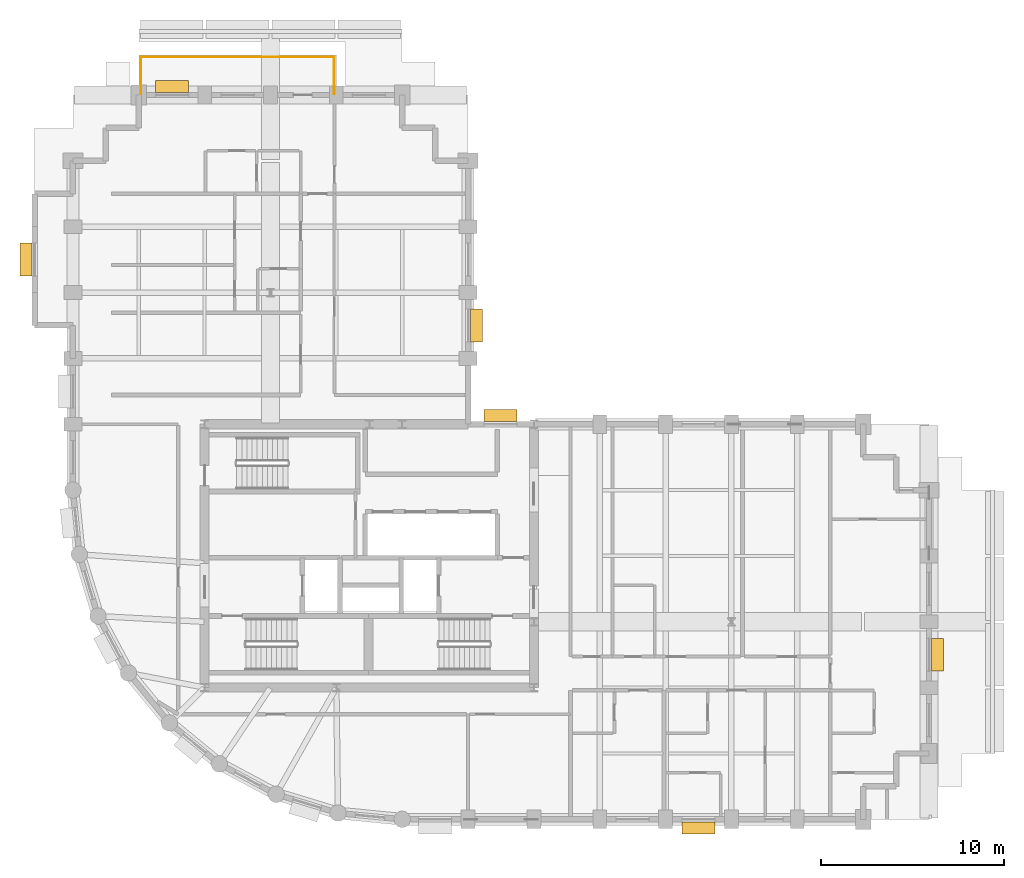
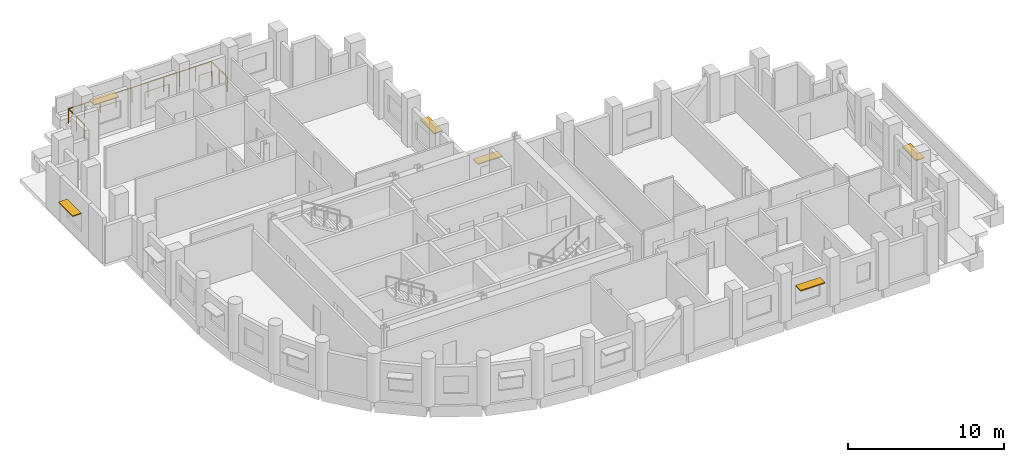
# One storey, part 10 of 10: 6 shading devices, 3 railings.
"""IFC4 building model written with IfcOpenShell, lengths in metres."""

from ifc_helpers import new_model, si_unit, direction, frame, origin, origin_2d, place, context, subcontext, project, spatial, rectangle, circle, extrude, material, layer, layer_set, type_object, element, save


model = new_model("IFC4")

# Units and contexts
model_context = context("Model", 3, precision=1e-05, world=origin(), true_north=direction((0.0, 1.0)))
body_context = subcontext(model_context, "Body", "Model", "MODEL_VIEW")
ifc_project = project(units=[si_unit("LENGTHUNIT", "METRE"), si_unit("AREAUNIT", "SQUARE_METRE"), si_unit("VOLUMEUNIT", "CUBIC_METRE"), si_unit("PLANEANGLEUNIT", "RADIAN"), si_unit("MASSUNIT", "GRAM", prefix="KILO")], contexts=[model_context])

# Site, building, storey
site_placement = place(None, origin())
site = spatial("IfcSite", under=ifc_project, at=site_placement, CompositionType="ELEMENT")
building_placement = place(site_placement, origin())
building = spatial("IfcBuilding", under=site, at=building_placement, Name="Solnavia Interchange Tower", CompositionType="ELEMENT")
storey_placement = place(building_placement, frame((0.0, 0.0, 127.60009765625)))
storey = spatial("IfcBuildingStorey", under=building, at=storey_placement, Name="L31", CompositionType="ELEMENT", Elevation=127.60009765625)

# Railings
ifc_material_1 = material(Name="Laminated Safety Glass & Stainless Steel", Category="steel")
railing_type = type_object("IfcRailingType", Name="Railing-TerraceGuard-1150", PredefinedType="GUARDRAIL", material=ifc_material_1)
railing_1_placement = place(storey_placement, frame((10.919921875, 43.25, -0.0400390625)))
element("IfcRailing", 1, at=railing_1_placement, inside=storey, type_object=railing_type, Name="GRD-L31-TER-01 Perimeter terrace guardrail", PredefinedType="GUARDRAIL", context=body_context, shape_type="SweptSolid", body=[
    extrude(circle(Radius=0.02392578125, at=origin_2d()), frame((0.0, 0.0, 1.1259765625), z_axis=(0.0, 1.0, 0.0), x_axis=(-1.0, 0.0, 0.0)), (0.0, 0.0, 1.0), 2.030029296875),
    extrude(circle(Radius=0.02099609375, at=origin_2d()), origin(), (0.0, 0.0, 1.0), 1.101806640625),
    extrude(circle(Radius=0.02099609375, at=origin_2d()), frame((0.0, 1.01513671875, 0.0)), (0.0, 0.0, 1.0), 1.101806640625),
    extrude(circle(Radius=0.02099609375, at=origin_2d()), frame((0.0, 2.030029296875, 0.0)), (0.0, 0.0, 1.0), 1.101806640625),
])
railing_2_placement = place(storey_placement, frame((10.919921875, 45.280029296875, -0.0400390625)))
element("IfcRailing", 2, at=railing_2_placement, inside=storey, type_object=railing_type, Name="GRD-L31-TER-02 Perimeter terrace guardrail", PredefinedType="GUARDRAIL", context=body_context, shape_type="SweptSolid", body=[
    extrude(circle(Radius=0.02392578125, at=origin_2d()), frame((0.0, 0.0, 1.1259765625), z_axis=(1.0, 0.0, 0.0), x_axis=(0.0, 1.0, 0.0)), (0.0, 0.0, 1.0), 10.56005859375),
    extrude(circle(Radius=0.02099609375, at=origin_2d()), origin(), (0.0, 0.0, 1.0), 1.101806640625),
    extrude(circle(Radius=0.02099609375, at=origin_2d()), frame((1.17333984375, 0.0, 0.0)), (0.0, 0.0, 1.0), 1.101806640625),
    extrude(circle(Radius=0.02099609375, at=origin_2d()), frame((2.3466796875, 0.0, 0.0)), (0.0, 0.0, 1.0), 1.101806640625),
    extrude(circle(Radius=0.02099609375, at=origin_2d()), frame((3.52001953125, 0.0, 0.0)), (0.0, 0.0, 1.0), 1.101806640625),
    extrude(circle(Radius=0.02099609375, at=origin_2d()), frame((4.693359375, 0.0, 0.0)), (0.0, 0.0, 1.0), 1.101806640625),
    extrude(circle(Radius=0.02099609375, at=origin_2d()), frame((5.86669921875, 0.0, 0.0)), (0.0, 0.0, 1.0), 1.101806640625),
    extrude(circle(Radius=0.02099609375, at=origin_2d()), frame((7.0400390625, 0.0, 0.0)), (0.0, 0.0, 1.0), 1.101806640625),
    extrude(circle(Radius=0.02099609375, at=origin_2d()), frame((8.21337890625, 0.0, 0.0)), (0.0, 0.0, 1.0), 1.101806640625),
    extrude(circle(Radius=0.02099609375, at=origin_2d()), frame((9.38671875, 0.0, 0.0)), (0.0, 0.0, 1.0), 1.101806640625),
    extrude(circle(Radius=0.02099609375, at=origin_2d()), frame((10.56005859375, 0.0, 0.0)), (0.0, 0.0, 1.0), 1.101806640625),
])
railing_3_placement = place(storey_placement, frame((21.47998046875, 45.280029296875, -0.0400390625)))
element("IfcRailing", 3, at=railing_3_placement, inside=storey, type_object=railing_type, Name="GRD-L31-TER-03 Perimeter terrace guardrail", PredefinedType="GUARDRAIL", context=body_context, shape_type="SweptSolid", body=[
    extrude(circle(Radius=0.02392578125, at=origin_2d()), frame((0.0, 0.0, 1.1259765625), z_axis=(0.0, -1.0, 0.0), x_axis=(1.0, 0.0, 0.0)), (0.0, 0.0, 1.0), 2.030029296875),
    extrude(circle(Radius=0.02099609375, at=origin_2d()), origin(), (0.0, 0.0, 1.0), 1.101806640625),
    extrude(circle(Radius=0.02099609375, at=origin_2d()), frame((0.0, -1.01513671875, 0.0)), (0.0, 0.0, 1.0), 1.101806640625),
    extrude(circle(Radius=0.02099609375, at=origin_2d()), frame((0.0, -2.030029296875, 0.0)), (0.0, 0.0, 1.0), 1.101806640625),
])

# Shading devices
ifc_material_2 = material(Name="Anodised Aluminium Sunshade", Category="aluminium")
ifc_layer = layer(ifc_material_2, 0.080078125)
ifc_layer_set = layer_set([ifc_layer], Name="Anodised Aluminium Sunshade")
shading_device_type = type_object("IfcShadingDeviceType", Name="Sunshade-Band-650", PredefinedType="SHUTTER", material=ifc_layer_set)
for number, where, z_axis, x_axis, name in (
    (4, (41.39990234375, 3.1298828125, 2.219970703125), (0.0, 0.0, 1.0), (-1.0, 0.0, 0.0), "SHD-L31-05 Horizontal sunshade band"),
    (5, (54.469970703125, 12.60009765625, 2.219970703125), (0.0, 0.0, 1.0), (0.0, -1.0, 0.0), "SHD-L31-13 Horizontal sunshade band"),
    (6, (30.583984375, 25.669921875, 2.219970703125), (0.0, 0.0, 1.0), (1.0, 0.0, 0.0), "SHD-L31-25 Horizontal sunshade band"),
    (7, (29.27001953125, 30.60009765625, 2.219970703125), (0.0, 0.0, 1.0), (0.0, -1.0, 0.0), "SHD-L31-27 Horizontal sunshade band"),
    (8, (12.625, 43.669921875, 2.219970703125), (0.0, 0.0, 1.0), (1.0, 0.0, 0.0), "SHD-L31-37 Horizontal sunshade band"),
    (9, (4.6298828125, 34.199951171875, 2.219970703125), (0.0, 0.0, 1.0), (0.0, 1.0, 0.0), "SHD-L31-45 Horizontal sunshade band"),
):
    element("IfcShadingDevice", number, at=place(storey_placement, frame(where, z_axis=z_axis, x_axis=x_axis)), inside=storey, type_object=shading_device_type, Name=name, PredefinedType="SHUTTER", context=body_context, shape_type="SweptSolid", body=[
        extrude(rectangle(XDim=1.800048828125, YDim=0.64990234375, at=origin_2d()), origin(), (0.0, 0.0, 1.0), 0.080078125),
    ])

save(model, "model.ifc")
